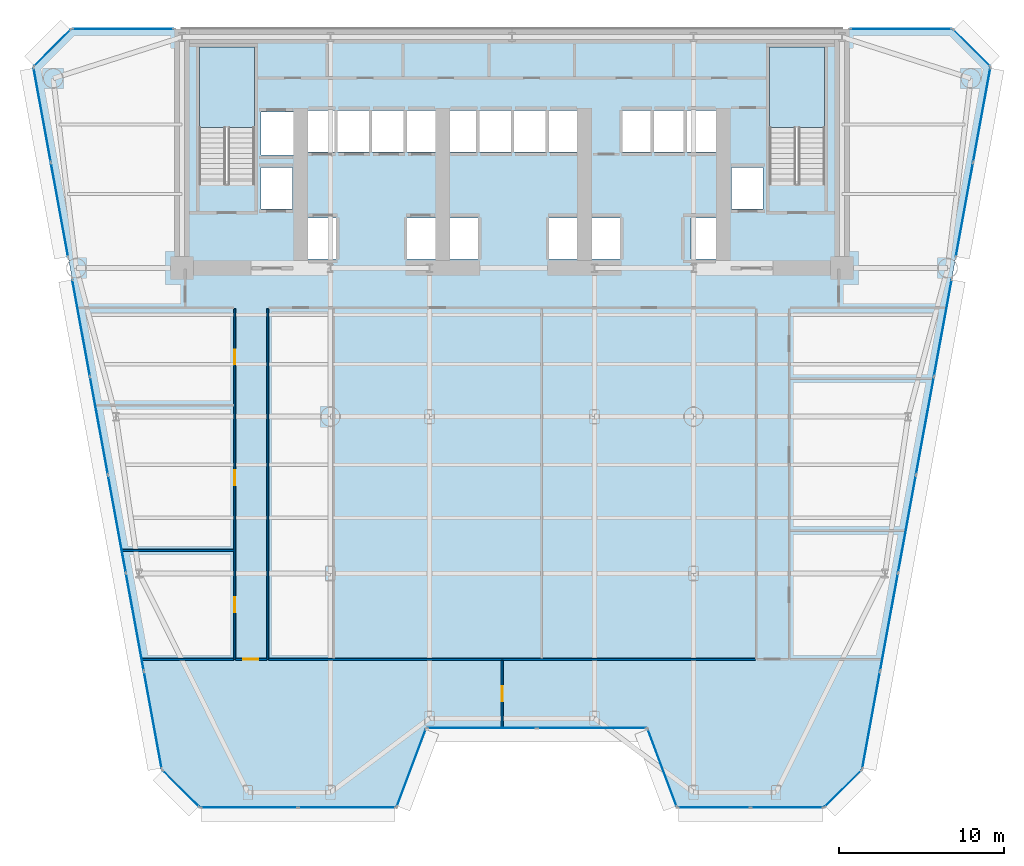
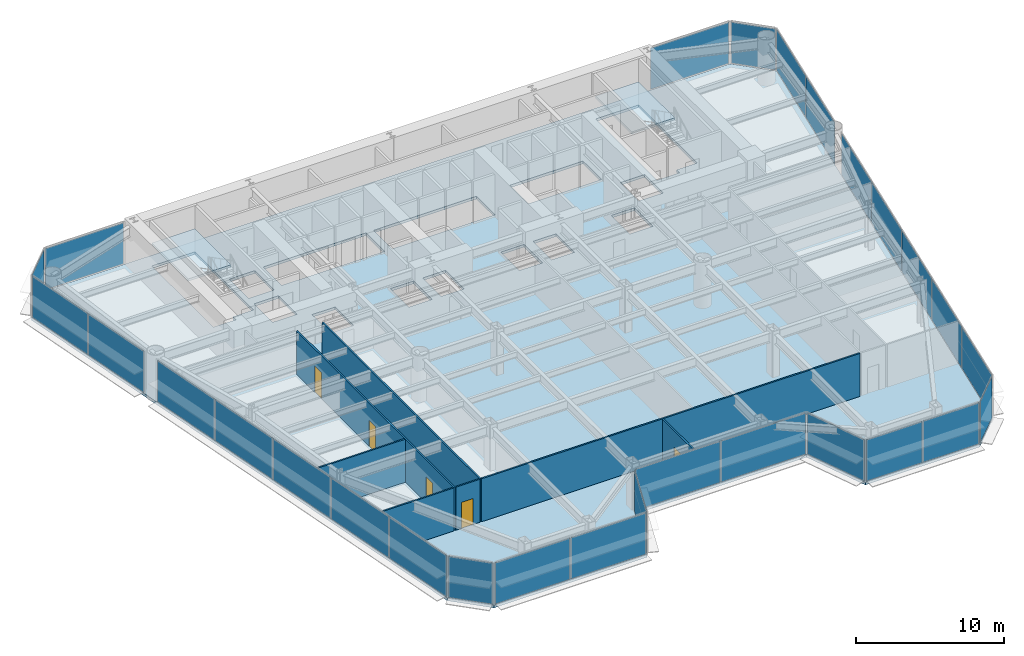
# One storey, part 7 of 14: 28 plates, 7 walls, 5 doors, 3 slabs, 5 openings, 17 elements without a shape of their own.
"""IFC4 building model written with IfcOpenShell, lengths in metres."""

from ifc_helpers import new_model, si_unit, direction, frame, frame_2d, origin, origin_2d, place, context, subcontext, project, spatial, polyline, rectangle, outline, extrude, source, transform, mapped, material, layer, layer_set, type_object, element, fill, aggregate, save


model = new_model("IFC4")

# Units and contexts
model_context = context("Model", 3, precision=1e-05, world=origin(), true_north=direction((0.0, 1.0)))
body_context = subcontext(model_context, "Body", "Model", "MODEL_VIEW")
ifc_project = project(units=[si_unit("LENGTHUNIT", "METRE"), si_unit("AREAUNIT", "SQUARE_METRE"), si_unit("VOLUMEUNIT", "CUBIC_METRE"), si_unit("PLANEANGLEUNIT", "RADIAN"), si_unit("MASSUNIT", "GRAM", prefix="KILO")], contexts=[model_context])

# Site, building, storey
site_placement = place(None, origin())
site = spatial("IfcSite", under=ifc_project, at=site_placement, CompositionType="ELEMENT")
building_placement = place(site_placement, origin())
building = spatial("IfcBuilding", under=site, at=building_placement, Name="Vaeldorn Concourse Tower", CompositionType="ELEMENT")
storey_placement = place(building_placement, frame((0.0, 0.0, 79.60009765625)))
storey = spatial("IfcBuildingStorey", under=building, at=storey_placement, Name="L20", CompositionType="ELEMENT", Elevation=79.60009765625)

# Stair, slab
ifc_material_1 = material(Name="Precast concrete C40/50", Category="concrete")
stair_type = type_object("IfcStairType", Name="STR-DOG-24x158", PredefinedType="HALF_TURN_STAIR", material=ifc_material_1)
stair_1_placement = place(storey_placement, origin())
stair_1 = element("IfcStair", 1, at=stair_1_placement, inside=storey, type_object=stair_type, Name="L20 West Core Exit Stair ST-1", PredefinedType="HALF_TURN_STAIR")
ifc_material_2 = material(Name="Concrete C40/50", Category="concrete")
ifc_layer_1 = layer(ifc_material_2, 0.199951171875)
ifc_layer_set_1 = layer_set([ifc_layer_1], Name="Concrete C40/50")
slab_type_1 = type_object("IfcSlabType", Name="SL-STAIR-LANDING", PredefinedType="LANDING", material=ifc_layer_set_1)
slab_1_placement = place(storey_placement, frame((0.0, 0.0, 1.699951171875)))
slab_1 = element("IfcSlab", 2, at=slab_1_placement, type_object=slab_type_1, Name="ST-1 landing 1", PredefinedType="LANDING", context=body_context, shape_type="SweptSolid", body=[
    extrude(outline(polyline([(18.39990234375, 45.010009765625), (18.39990234375, 49.89990234375), (15.050048828125, 49.89990234375), (15.050048828125, 45.010009765625), (18.39990234375, 45.010009765625)])), origin(), (0.0, 0.0, 1.0), 0.199951171875),
])
aggregate(stair_1, [slab_1])

stair_2_placement = place(storey_placement, origin())
stair_2 = element("IfcStair", 3, at=stair_2_placement, inside=storey, type_object=stair_type, Name="L20 East Core Exit Stair ST-2", PredefinedType="HALF_TURN_STAIR")
slab_2_placement = place(storey_placement, frame((0.0, 0.0, 1.699951171875)))
slab_2 = element("IfcSlab", 4, at=slab_2_placement, type_object=slab_type_1, Name="ST-2 landing 1", PredefinedType="LANDING", context=body_context, shape_type="SweptSolid", body=[
    extrude(outline(polyline([(52.949951171875, 45.010009765625), (52.949951171875, 49.89990234375), (49.60009765625, 49.89990234375), (49.60009765625, 45.010009765625), (52.949951171875, 45.010009765625)])), origin(), (0.0, 0.0, 1.0), 0.199951171875),
])
aggregate(stair_2, [slab_2])

# Slab
ifc_layer_2 = layer(ifc_material_2, 0.219970703125)
ifc_layer_set_2 = layer_set([ifc_layer_2], Name="Concrete C40/50")
slab_type_2 = type_object("IfcSlabType", Name="SL-TYP-220", PredefinedType="FLOOR", material=ifc_layer_set_2)
slab_3_placement = place(storey_placement, frame((0.0, 0.0, -0.22021484375)))
element("IfcSlab", 5, at=slab_3_placement, inside=storey, type_object=slab_type_2, Name="Structural Floor Slab L20", PredefinedType="FLOOR", context=body_context, shape_type="SweptSolid", body=[
    extrude(outline(polyline([(15.083740234375, 3.8251953125), (27.0, 3.8251953125), (28.800048828125, 8.625244140625), (42.199951171875, 8.625244140625), (44.0, 3.8251953125), (52.916259765625, 3.8251953125), (55.21630859375, 6.125244140625), (63.0, 48.699951171875), (60.699951171875, 51.0), (7.300048828125, 51.0), (5.0, 48.699951171875), (12.78369140625, 6.125244140625), (15.083740234375, 3.8251953125)]), holes=[polyline([(18.39990234375, 42.0), (18.39990234375, 49.89990234375), (15.050048828125, 49.89990234375), (15.050048828125, 41.60009765625), (16.800048828125, 41.60009765625), (16.800048828125, 42.0), (18.39990234375, 42.0)]), polyline([(52.949951171875, 42.0), (52.949951171875, 49.89990234375), (49.60009765625, 49.89990234375), (49.60009765625, 41.60009765625), (51.35009765625, 41.60009765625), (51.35009765625, 42.0), (52.949951171875, 42.0)]), polyline([(21.550048828125, 37.050048828125), (23.35009765625, 37.050048828125), (23.35009765625, 39.550048828125), (21.550048828125, 39.550048828125), (21.550048828125, 37.050048828125)]), polyline([(27.64990234375, 37.050048828125), (29.449951171875, 37.050048828125), (29.449951171875, 39.550048828125), (27.64990234375, 39.550048828125), (27.64990234375, 37.050048828125)]), polyline([(21.5, 43.550048828125), (29.5, 43.550048828125), (29.5, 46.050048828125), (21.5, 46.050048828125), (21.5, 43.550048828125)]), polyline([(30.14990234375, 37.050048828125), (31.949951171875, 37.050048828125), (31.949951171875, 39.550048828125), (30.14990234375, 39.550048828125), (30.14990234375, 37.050048828125)]), polyline([(36.25, 37.050048828125), (38.050048828125, 37.050048828125), (38.050048828125, 39.550048828125), (36.25, 39.550048828125), (36.25, 37.050048828125)]), polyline([(30.10009765625, 43.550048828125), (38.10009765625, 43.550048828125), (38.10009765625, 46.050048828125), (30.10009765625, 46.050048828125), (30.10009765625, 43.550048828125)]), polyline([(38.75, 37.050048828125), (40.550048828125, 37.050048828125), (40.550048828125, 39.550048828125), (38.75, 39.550048828125), (38.75, 37.050048828125)]), polyline([(44.85009765625, 37.050048828125), (46.64990234375, 37.050048828125), (46.64990234375, 39.550048828125), (44.85009765625, 39.550048828125), (44.85009765625, 37.050048828125)]), polyline([(40.699951171875, 43.550048828125), (46.39990234375, 43.550048828125), (46.39990234375, 46.050048828125), (40.699951171875, 46.050048828125), (40.699951171875, 43.550048828125)]), polyline([(18.800048828125, 43.35009765625), (20.800048828125, 43.35009765625), (20.800048828125, 45.949951171875), (18.800048828125, 45.949951171875), (18.800048828125, 43.35009765625)]), polyline([(18.800048828125, 40.10009765625), (20.699951171875, 40.10009765625), (20.699951171875, 42.60009765625), (18.800048828125, 42.60009765625), (18.800048828125, 40.10009765625)]), polyline([(47.300048828125, 40.10009765625), (49.199951171875, 40.10009765625), (49.199951171875, 42.60009765625), (47.300048828125, 42.60009765625), (47.300048828125, 40.10009765625)])]), origin(), (0.0, 0.0, 1.0), 0.22021484375),
])

# Curtain wall, plates
ifc_material_3 = material(Name="Anodised Bronze Aluminium", Category="aluminium")
ifc_layer_3 = layer(ifc_material_3, 0.219970703125)
ifc_layer_set_3 = layer_set([ifc_layer_3], Name="Anodised Bronze Aluminium")
curtain_wall_type = type_object("IfcCurtainWallType", Name="CW-SYS-01", PredefinedType="NOTDEFINED", material=ifc_layer_set_3)
curtain_wall_1_placement = place(storey_placement, origin())
curtain_wall_1 = element("IfcCurtainWall", 6, at=curtain_wall_1_placement, inside=storey, type_object=curtain_wall_type, Name="Unitised Curtain Wall CW-L20-E01-1", PredefinedType="NOTDEFINED")
ifc_material_4 = material(Name="Bronze Tinted Low-E Insulated Glass", Category="glass")
ifc_layer_4 = layer(ifc_material_4, 0.031982421875)
ifc_layer_set_4 = layer_set([ifc_layer_4], Name="Bronze Tinted Low-E Insulated Glass")
plate_type = type_object("IfcPlateType", Name="CWP-VISION-32", PredefinedType="CURTAIN_PANEL", material=ifc_layer_set_4)
shared_shape_1 = source(origin(), body_context, "Body", "SweptSolid", [
    extrude(rectangle(XDim=5.845703125, YDim=0.031982421875, at=origin_2d()), origin(), (0.0, 0.0, 1.0), 3.389892578125),
])
plate_1_placement = place(storey_placement, frame((18.08154296875, 3.8251953125, 0.0751953125), z_axis=(0.0, 0.0, 1.0), x_axis=(1.0, 0.0, 0.0)))
plate_1 = element("IfcPlate", 7, at=plate_1_placement, type_object=plate_type, Name="CW-01 panel 1.1", PredefinedType="CURTAIN_PANEL", context=body_context, shape_type="MappedRepresentation", body=[
    mapped(shared_shape_1, transform((0.0, 0.0, 0.0), scale=1.0)),
])
plate_2_placement = place(storey_placement, frame((24.002197265625, 3.8251953125, 0.0751953125), z_axis=(0.0, 0.0, 1.0), x_axis=(1.0, 0.0, 0.0)))
plate_2 = element("IfcPlate", 8, at=plate_2_placement, type_object=plate_type, Name="CW-01 panel 2.1", PredefinedType="CURTAIN_PANEL", context=body_context, shape_type="MappedRepresentation", body=[
    mapped(shared_shape_1, transform((0.0, 0.0, 0.0), scale=1.0)),
])
aggregate(curtain_wall_1, [plate_1, plate_2])

# Curtain wall, plate
curtain_wall_2_placement = place(storey_placement, origin())
curtain_wall_2 = element("IfcCurtainWall", 9, at=curtain_wall_2_placement, inside=storey, type_object=curtain_wall_type, Name="Unitised Curtain Wall CW-L20-E02-1", PredefinedType="NOTDEFINED")
shared_shape_2 = source(origin(), body_context, "Body", "SweptSolid", [
    extrude(rectangle(XDim=4.976318359375, YDim=0.031982421875, at=origin_2d()), origin(), (0.0, 0.0, 1.0), 3.389892578125),
])
plate_3_placement = place(storey_placement, frame((27.89990234375, 6.22509765625, 0.0751953125), z_axis=(0.0, 0.0, 1.0), x_axis=(0.351123441595, 0.936329177566, 0.0)))
plate_3 = element("IfcPlate", 10, at=plate_3_placement, type_object=plate_type, Name="CW-01 panel 1.1", PredefinedType="CURTAIN_PANEL", context=body_context, shape_type="MappedRepresentation", body=[
    mapped(shared_shape_2, transform((0.0, 0.0, 0.0), scale=1.0)),
])
aggregate(curtain_wall_2, [plate_3])

curtain_wall_3_placement = place(storey_placement, origin())
curtain_wall_3 = element("IfcCurtainWall", 11, at=curtain_wall_3_placement, inside=storey, type_object=curtain_wall_type, Name="Unitised Curtain Wall CW-L20-E04-1", PredefinedType="NOTDEFINED")
plate_4_placement = place(storey_placement, frame((43.10009765625, 6.22509765625, 0.0751953125), z_axis=(0.0, 0.0, 1.0), x_axis=(0.351123441595, -0.936329177566, 0.0)))
plate_4 = element("IfcPlate", 12, at=plate_4_placement, type_object=plate_type, Name="CW-01 panel 1.1", PredefinedType="CURTAIN_PANEL", context=body_context, shape_type="MappedRepresentation", body=[
    mapped(shared_shape_2, transform((0.0, 0.0, 0.0), scale=1.0)),
])
aggregate(curtain_wall_3, [plate_4])

# Curtain wall, plates
curtain_wall_4_placement = place(storey_placement, origin())
curtain_wall_4 = element("IfcCurtainWall", 13, at=curtain_wall_4_placement, inside=storey, type_object=curtain_wall_type, Name="Unitised Curtain Wall CW-L20-E03-1", PredefinedType="NOTDEFINED")
shared_shape_3 = source(origin(), body_context, "Body", "SweptSolid", [
    extrude(rectangle(XDim=6.58740234375, YDim=0.031982421875, at=origin_2d()), origin(), (0.0, 0.0, 1.0), 3.389892578125),
])
plate_5_placement = place(storey_placement, frame((32.168701171875, 8.625244140625, 0.0751953125), z_axis=(0.0, 0.0, 1.0), x_axis=(1.0, 0.0, 0.0)))
plate_5 = element("IfcPlate", 14, at=plate_5_placement, type_object=plate_type, Name="CW-01 panel 1.1", PredefinedType="CURTAIN_PANEL", context=body_context, shape_type="MappedRepresentation", body=[
    mapped(shared_shape_3, transform((0.0, 0.0, 0.0), scale=1.0)),
])
plate_6_placement = place(storey_placement, frame((38.831298828125, 8.625244140625, 0.0751953125), z_axis=(0.0, 0.0, 1.0), x_axis=(1.0, 0.0, 0.0)))
plate_6 = element("IfcPlate", 15, at=plate_6_placement, type_object=plate_type, Name="CW-01 panel 2.1", PredefinedType="CURTAIN_PANEL", context=body_context, shape_type="MappedRepresentation", body=[
    mapped(shared_shape_3, transform((0.0, 0.0, 0.0), scale=1.0)),
])
aggregate(curtain_wall_4, [plate_5, plate_6])

curtain_wall_5_placement = place(storey_placement, origin())
curtain_wall_5 = element("IfcCurtainWall", 16, at=curtain_wall_5_placement, inside=storey, type_object=curtain_wall_type, Name="Unitised Curtain Wall CW-L20-E05-1", PredefinedType="NOTDEFINED")
shared_shape_4 = source(origin(), body_context, "Body", "SweptSolid", [
    extrude(rectangle(XDim=4.345703125, YDim=0.031982421875, at=origin_2d()), origin(), (0.0, 0.0, 1.0), 3.389892578125),
])
plate_7_placement = place(storey_placement, frame((46.247802734375, 3.8251953125, 0.0751953125), z_axis=(0.0, 0.0, 1.0), x_axis=(1.0, 0.0, 0.0)))
plate_7 = element("IfcPlate", 17, at=plate_7_placement, type_object=plate_type, Name="CW-01 panel 1.1", PredefinedType="CURTAIN_PANEL", context=body_context, shape_type="MappedRepresentation", body=[
    mapped(shared_shape_4, transform((0.0, 0.0, 0.0), scale=1.0)),
])
plate_8_placement = place(storey_placement, frame((50.66845703125, 3.8251953125, 0.0751953125), z_axis=(0.0, 0.0, 1.0), x_axis=(1.0, 0.0, 0.0)))
plate_8 = element("IfcPlate", 18, at=plate_8_placement, type_object=plate_type, Name="CW-01 panel 2.1", PredefinedType="CURTAIN_PANEL", context=body_context, shape_type="MappedRepresentation", body=[
    mapped(shared_shape_4, transform((0.0, 0.0, 0.0), scale=1.0)),
])
aggregate(curtain_wall_5, [plate_7, plate_8])

# Curtain wall, plate
curtain_wall_6_placement = place(storey_placement, origin())
curtain_wall_6 = element("IfcCurtainWall", 19, at=curtain_wall_6_placement, inside=storey, type_object=curtain_wall_type, Name="Unitised Curtain Wall CW-L20-E06-1", PredefinedType="NOTDEFINED")
shared_shape_5 = source(origin(), body_context, "Body", "SweptSolid", [
    extrude(rectangle(XDim=3.102783203125, YDim=0.031982421875, at=origin_2d()), origin(), (0.0, 0.0, 1.0), 3.389892578125),
])
plate_9_placement = place(storey_placement, frame((54.066162109375, 4.97509765625, 0.0751953125), z_axis=(0.0, 0.0, 1.0), x_axis=(0.707106781187, 0.707106781187, 0.0)))
plate_9 = element("IfcPlate", 20, at=plate_9_placement, type_object=plate_type, Name="CW-01 panel 1.1", PredefinedType="CURTAIN_PANEL", context=body_context, shape_type="MappedRepresentation", body=[
    mapped(shared_shape_5, transform((0.0, 0.0, 0.0), scale=1.0)),
])
aggregate(curtain_wall_6, [plate_9])

curtain_wall_7_placement = place(storey_placement, origin())
curtain_wall_7 = element("IfcCurtainWall", 21, at=curtain_wall_7_placement, inside=storey, type_object=curtain_wall_type, Name="Unitised Curtain Wall CW-L20-E08-1", PredefinedType="NOTDEFINED")
plate_10_placement = place(storey_placement, frame((61.85009765625, 49.85009765625, 0.0751953125), z_axis=(0.0, 0.0, 1.0), x_axis=(-0.707106781187, 0.707106781187, 0.0)))
plate_10 = element("IfcPlate", 22, at=plate_10_placement, type_object=plate_type, Name="CW-01 panel 1.1", PredefinedType="CURTAIN_PANEL", context=body_context, shape_type="MappedRepresentation", body=[
    mapped(shared_shape_5, transform((0.0, 0.0, 0.0), scale=1.0)),
])
aggregate(curtain_wall_7, [plate_10])

curtain_wall_8_placement = place(storey_placement, origin())
curtain_wall_8 = element("IfcCurtainWall", 23, at=curtain_wall_8_placement, inside=storey, type_object=curtain_wall_type, Name="Unitised Curtain Wall CW-L20-E10-1", PredefinedType="NOTDEFINED")
plate_11_placement = place(storey_placement, frame((6.14990234375, 49.85009765625, 0.0751953125), z_axis=(0.0, 0.0, 1.0), x_axis=(-0.707106781187, -0.707106781187, 0.0)))
plate_11 = element("IfcPlate", 24, at=plate_11_placement, type_object=plate_type, Name="CW-01 panel 1.1", PredefinedType="CURTAIN_PANEL", context=body_context, shape_type="MappedRepresentation", body=[
    mapped(shared_shape_5, transform((0.0, 0.0, 0.0), scale=1.0)),
])
aggregate(curtain_wall_8, [plate_11])

curtain_wall_9_placement = place(storey_placement, origin())
curtain_wall_9 = element("IfcCurtainWall", 25, at=curtain_wall_9_placement, inside=storey, type_object=curtain_wall_type, Name="Unitised Curtain Wall CW-L20-E12-1", PredefinedType="NOTDEFINED")
plate_12_placement = place(storey_placement, frame((13.933837890625, 4.97509765625, 0.0751953125), z_axis=(0.0, 0.0, 1.0), x_axis=(0.707106781187, -0.707106781187, 0.0)))
plate_12 = element("IfcPlate", 26, at=plate_12_placement, type_object=plate_type, Name="CW-01 panel 1.1", PredefinedType="CURTAIN_PANEL", context=body_context, shape_type="MappedRepresentation", body=[
    mapped(shared_shape_5, transform((0.0, 0.0, 0.0), scale=1.0)),
])
aggregate(curtain_wall_9, [plate_12])

# Curtain wall, plates
curtain_wall_10_placement = place(storey_placement, origin())
curtain_wall_10 = element("IfcCurtainWall", 27, at=curtain_wall_10_placement, inside=storey, type_object=curtain_wall_type, Name="Unitised Curtain Wall CW-L20-E07-1", PredefinedType="NOTDEFINED")
shared_shape_6 = source(origin(), body_context, "Body", "SweptSolid", [
    extrude(rectangle(XDim=5.937255859375, YDim=0.031982421875, at=origin_2d()), origin(), (0.0, 0.0, 1.0), 3.389892578125),
])
plate_13_placement = place(storey_placement, frame((55.763671875, 9.119140625, 0.0751953125), z_axis=(0.0, 0.0, 1.0), x_axis=(0.179846854566, 0.983694621772, 0.0)))
plate_13 = element("IfcPlate", 28, at=plate_13_placement, type_object=plate_type, Name="CW-01 panel 1.1", PredefinedType="CURTAIN_PANEL", context=body_context, shape_type="MappedRepresentation", body=[
    mapped(shared_shape_6, transform((0.0, 0.0, 0.0), scale=1.0)),
])
plate_14_placement = place(storey_placement, frame((60.10888671875, 32.886474609375, 0.0751953125), z_axis=(0.0, 0.0, 1.0), x_axis=(0.179846854566, 0.983694621772, 0.0)))
plate_14 = element("IfcPlate", 29, at=plate_14_placement, type_object=plate_type, Name="CW-01 panel 5.1", PredefinedType="CURTAIN_PANEL", context=body_context, shape_type="MappedRepresentation", body=[
    mapped(shared_shape_6, transform((0.0, 0.0, 0.0), scale=1.0)),
])

curtain_wall_11_placement = place(storey_placement, origin())
curtain_wall_11 = element("IfcCurtainWall", 30, at=curtain_wall_11_placement, inside=storey, type_object=curtain_wall_type, Name="Unitised Curtain Wall CW-L20-E11-2", PredefinedType="NOTDEFINED")
plate_15_placement = place(storey_placement, frame((7.89111328125, 32.886474609375, 0.0751953125), z_axis=(0.0, 0.0, 1.0), x_axis=(0.179846854566, -0.983694621772, 0.0)))
plate_15 = element("IfcPlate", 31, at=plate_15_placement, type_object=plate_type, Name="CW-01 panel 1.1", PredefinedType="CURTAIN_PANEL", context=body_context, shape_type="MappedRepresentation", body=[
    mapped(shared_shape_6, transform((0.0, 0.0, 0.0), scale=1.0)),
])
plate_16_placement = place(storey_placement, frame((12.236328125, 9.119140625, 0.0751953125), z_axis=(0.0, 0.0, 1.0), x_axis=(0.179846854566, -0.983694621772, 0.0)))
plate_16 = element("IfcPlate", 32, at=plate_16_placement, type_object=plate_type, Name="CW-01 panel 5.1", PredefinedType="CURTAIN_PANEL", context=body_context, shape_type="MappedRepresentation", body=[
    mapped(shared_shape_6, transform((0.0, 0.0, 0.0), scale=1.0)),
])

# Plate
shared_shape_7 = source(origin(), body_context, "Body", "SweptSolid", [
    extrude(rectangle(XDim=5.974609375, YDim=0.031982421875, at=origin_2d()), origin(), (0.0, 0.0, 1.0), 3.389892578125),
])
plate_17_placement = place(storey_placement, frame((56.84814453125, 15.0517578125, 0.0751953125), z_axis=(0.0, 0.0, 1.0), x_axis=(0.179846854566, 0.983694621772, 0.0)))
plate_17 = element("IfcPlate", 33, at=plate_17_placement, type_object=plate_type, Name="CW-01 panel 2.1", PredefinedType="CURTAIN_PANEL", context=body_context, shape_type="MappedRepresentation", body=[
    mapped(shared_shape_7, transform((0.0, 0.0, 0.0), scale=1.0)),
])

plate_18_placement = place(storey_placement, frame((57.936279296875, 21.0029296875, 0.0751953125), z_axis=(0.0, 0.0, 1.0), x_axis=(0.179846854566, 0.983694621772, 0.0)))
plate_18 = element("IfcPlate", 34, at=plate_18_placement, type_object=plate_type, Name="CW-01 panel 3.1", PredefinedType="CURTAIN_PANEL", context=body_context, shape_type="MappedRepresentation", body=[
    mapped(shared_shape_7, transform((0.0, 0.0, 0.0), scale=1.0)),
])

plate_19_placement = place(storey_placement, frame((59.024169921875, 26.953857421875, 0.0751953125), z_axis=(0.0, 0.0, 1.0), x_axis=(0.179846854566, 0.983694621772, 0.0)))
plate_19 = element("IfcPlate", 35, at=plate_19_placement, type_object=plate_type, Name="CW-01 panel 4.1", PredefinedType="CURTAIN_PANEL", context=body_context, shape_type="MappedRepresentation", body=[
    mapped(shared_shape_7, transform((0.0, 0.0, 0.0), scale=1.0)),
])

aggregate(curtain_wall_10, [plate_13, plate_17, plate_18, plate_19, plate_14])

plate_20_placement = place(storey_placement, frame((8.975830078125, 26.953857421875, 0.0751953125), z_axis=(0.0, 0.0, 1.0), x_axis=(0.179846854566, -0.983694621772, 0.0)))
plate_20 = element("IfcPlate", 36, at=plate_20_placement, type_object=plate_type, Name="CW-01 panel 2.1", PredefinedType="CURTAIN_PANEL", context=body_context, shape_type="MappedRepresentation", body=[
    mapped(shared_shape_7, transform((0.0, 0.0, 0.0), scale=1.0)),
])

plate_21_placement = place(storey_placement, frame((10.063720703125, 21.0029296875, 0.0751953125), z_axis=(0.0, 0.0, 1.0), x_axis=(0.179846854566, -0.983694621772, 0.0)))
plate_21 = element("IfcPlate", 37, at=plate_21_placement, type_object=plate_type, Name="CW-01 panel 3.1", PredefinedType="CURTAIN_PANEL", context=body_context, shape_type="MappedRepresentation", body=[
    mapped(shared_shape_7, transform((0.0, 0.0, 0.0), scale=1.0)),
])

plate_22_placement = place(storey_placement, frame((11.15185546875, 15.0517578125, 0.0751953125), z_axis=(0.0, 0.0, 1.0), x_axis=(0.179846854566, -0.983694621772, 0.0)))
plate_22 = element("IfcPlate", 38, at=plate_22_placement, type_object=plate_type, Name="CW-01 panel 4.1", PredefinedType="CURTAIN_PANEL", context=body_context, shape_type="MappedRepresentation", body=[
    mapped(shared_shape_7, transform((0.0, 0.0, 0.0), scale=1.0)),
])

aggregate(curtain_wall_11, [plate_15, plate_20, plate_21, plate_22, plate_16])

# Curtain wall, plates
curtain_wall_12_placement = place(storey_placement, origin())
curtain_wall_12 = element("IfcCurtainWall", 39, at=curtain_wall_12_placement, inside=storey, type_object=curtain_wall_type, Name="Unitised Curtain Wall CW-L20-E07-2", PredefinedType="NOTDEFINED")
shared_shape_8 = source(origin(), body_context, "Body", "SweptSolid", [
    extrude(rectangle(XDim=5.773681640625, YDim=0.031982421875, at=origin_2d()), origin(), (0.0, 0.0, 1.0), 3.389892578125),
])
plate_23_placement = place(storey_placement, frame((61.41552734375, 40.032958984375, 0.0751953125), z_axis=(0.0, 0.0, 1.0), x_axis=(0.179843658764, 0.983695206048, 0.0)))
plate_23 = element("IfcPlate", 40, at=plate_23_placement, type_object=plate_type, Name="CW-01 panel 1.1", PredefinedType="CURTAIN_PANEL", context=body_context, shape_type="MappedRepresentation", body=[
    mapped(shared_shape_8, transform((0.0, 0.0, 0.0), scale=1.0)),
])
plate_24_placement = place(storey_placement, frame((62.46728515625, 45.786376953125, 0.0751953125), z_axis=(0.0, 0.0, 1.0), x_axis=(0.179843658764, 0.983695206048, 0.0)))
plate_24 = element("IfcPlate", 41, at=plate_24_placement, type_object=plate_type, Name="CW-01 panel 2.1", PredefinedType="CURTAIN_PANEL", context=body_context, shape_type="MappedRepresentation", body=[
    mapped(shared_shape_8, transform((0.0, 0.0, 0.0), scale=1.0)),
])
aggregate(curtain_wall_12, [plate_23, plate_24])

curtain_wall_13_placement = place(storey_placement, origin())
curtain_wall_13 = element("IfcCurtainWall", 42, at=curtain_wall_13_placement, inside=storey, type_object=curtain_wall_type, Name="Unitised Curtain Wall CW-L20-E11-1", PredefinedType="NOTDEFINED")
plate_25_placement = place(storey_placement, frame((5.53271484375, 45.786376953125, 0.0751953125), z_axis=(0.0, 0.0, 1.0), x_axis=(0.179843658764, -0.983695206048, 0.0)))
plate_25 = element("IfcPlate", 43, at=plate_25_placement, type_object=plate_type, Name="CW-01 panel 1.1", PredefinedType="CURTAIN_PANEL", context=body_context, shape_type="MappedRepresentation", body=[
    mapped(shared_shape_8, transform((0.0, 0.0, 0.0), scale=1.0)),
])
plate_26_placement = place(storey_placement, frame((6.58447265625, 40.032958984375, 0.0751953125), z_axis=(0.0, 0.0, 1.0), x_axis=(0.179843658764, -0.983695206048, 0.0)))
plate_26 = element("IfcPlate", 44, at=plate_26_placement, type_object=plate_type, Name="CW-01 panel 2.1", PredefinedType="CURTAIN_PANEL", context=body_context, shape_type="MappedRepresentation", body=[
    mapped(shared_shape_8, transform((0.0, 0.0, 0.0), scale=1.0)),
])
aggregate(curtain_wall_13, [plate_25, plate_26])

# Curtain wall, plate
curtain_wall_14_placement = place(storey_placement, origin())
curtain_wall_14 = element("IfcCurtainWall", 45, at=curtain_wall_14_placement, inside=storey, type_object=curtain_wall_type, Name="Unitised Curtain Wall CW-L20-E09-1", PredefinedType="NOTDEFINED")
shared_shape_9 = source(origin(), body_context, "Body", "SweptSolid", [
    extrude(rectangle(XDim=6.10498046875, YDim=0.031982421875, at=origin_2d()), origin(), (0.0, 0.0, 1.0), 3.389892578125),
])
plate_27_placement = place(storey_placement, frame((57.572509765625, 51.0, 0.0751953125), z_axis=(0.0, 0.0, 1.0), x_axis=(-1.0, 0.0, 0.0)))
plate_27 = element("IfcPlate", 46, at=plate_27_placement, type_object=plate_type, Name="CW-01 panel 1.1", PredefinedType="CURTAIN_PANEL", context=body_context, shape_type="MappedRepresentation", body=[
    mapped(shared_shape_9, transform((0.0, 0.0, 0.0), scale=1.0)),
])
aggregate(curtain_wall_14, [plate_27])

curtain_wall_15_placement = place(storey_placement, origin())
curtain_wall_15 = element("IfcCurtainWall", 47, at=curtain_wall_15_placement, inside=storey, type_object=curtain_wall_type, Name="Unitised Curtain Wall CW-L20-E09-2", PredefinedType="NOTDEFINED")
plate_28_placement = place(storey_placement, frame((10.427490234375, 51.0, 0.0751953125), z_axis=(0.0, 0.0, 1.0), x_axis=(-1.0, 0.0, 0.0)))
plate_28 = element("IfcPlate", 48, at=plate_28_placement, type_object=plate_type, Name="CW-01 panel 1.1", PredefinedType="CURTAIN_PANEL", context=body_context, shape_type="MappedRepresentation", body=[
    mapped(shared_shape_9, transform((0.0, 0.0, 0.0), scale=1.0)),
])
aggregate(curtain_wall_15, [plate_28])

# Wall, openings, doors
ifc_material_5 = material(Name="Gypsum Board Partition", Category="gypsum")
ifc_layer_5 = layer(ifc_material_5, 0.1201171875)
ifc_layer_set_5 = layer_set([ifc_layer_5], Name="Gypsum Board Partition")
wall_type = type_object("IfcWallType", Name="WL-PART-120", PredefinedType="PARTITIONING", material=ifc_layer_set_5)
wall_1_placement = place(storey_placement, frame((17.199951171875, 12.800048828125, 0.0), z_axis=(0.0, 0.0, 1.0), x_axis=(0.0, 1.0, 0.0)))
wall_1 = element("IfcWall", 49, at=wall_1_placement, inside=storey, type_object=wall_type, Name="Interior Wall PW-L20-CWW", PredefinedType="PARTITIONING", context=body_context, shape_type="SweptSolid", body=[
    extrude(rectangle(XDim=21.239990234375, YDim=0.1201171875, at=frame_2d((10.6201171875, 0.0))), origin(), (0.0, 0.0, 1.0), 3.539794921875),
])
opening_1_placement = place(wall_1_placement, frame((2.85009765625, 0.0, 0.0)))
opening_1 = element("IfcOpeningElement", 50, at=opening_1_placement, cuts=wall_1, Name="Opening D-03", PredefinedType="OPENING", context=body_context, shape_type="SweptSolid", body=[
    extrude(rectangle(XDim=0.89990234375, YDim=2.14990234375, at=frame_2d((0.449951171875, 1.074951171875))), frame((0.0, 0.070068359375, 0.0), z_axis=(0.0, -1.0, 0.0), x_axis=(1.0, 0.0, 0.0)), (0.0, 0.0, 1.0), 0.14013671875),
])
opening_2_placement = place(wall_1_placement, frame((10.550048828125, 0.0, 0.0)))
opening_2 = element("IfcOpeningElement", 51, at=opening_2_placement, cuts=wall_1, Name="Opening D-03", PredefinedType="OPENING", context=body_context, shape_type="SweptSolid", body=[
    extrude(rectangle(XDim=0.89990234375, YDim=2.14990234375, at=frame_2d((0.449951171875, 1.074951171875))), frame((0.0, 0.070068359375, 0.0), z_axis=(0.0, -1.0, 0.0), x_axis=(1.0, 0.0, 0.0)), (0.0, 0.0, 1.0), 0.14013671875),
])
opening_3_placement = place(wall_1_placement, frame((17.8701171875, 0.0, 0.0)))
opening_3 = element("IfcOpeningElement", 52, at=opening_3_placement, cuts=wall_1, Name="Opening D-03", PredefinedType="OPENING", context=body_context, shape_type="SweptSolid", body=[
    extrude(rectangle(XDim=0.89990234375, YDim=2.14990234375, at=frame_2d((0.449951171875, 1.074951171875))), frame((0.0, 0.070068359375, 0.0), z_axis=(0.0, -1.0, 0.0), x_axis=(1.0, 0.0, 0.0)), (0.0, 0.0, 1.0), 0.14013671875),
])
ifc_material_6 = material(Name="Acoustic Bronze-Framed Glass Door", Category="glass")
door_type = type_object("IfcDoorType", Name="DR-INT-900", OperationType="NOTDEFINED", PredefinedType="DOOR", material=ifc_material_6)
shared_shape_10 = source(origin(), body_context, "Body", "SweptSolid", [
    extrude(rectangle(XDim=0.89990234375, YDim=2.14990234375, at=frame_2d((0.449951171875, 1.074951171875))), frame((0.0, 0.02490234375, 0.0), z_axis=(0.0, -1.0, 0.0), x_axis=(1.0, 0.0, 0.0)), (0.0, 0.0, 1.0), 0.050048828125),
])
door_1_placement = place(opening_1_placement, origin())
door_1 = element("IfcDoor", 53, at=door_1_placement, inside=storey, type_object=door_type, Name="Interior Door DR-L20-W1", OperationType="SINGLE_SWING_LEFT", OverallHeight=2.14990234375, OverallWidth=0.89990234375, PredefinedType="DOOR", context=body_context, shape_type="MappedRepresentation", body=[
    mapped(shared_shape_10, transform((0.0, 0.0, 0.0), scale=1.0)),
])
fill(opening_1, door_1)
door_2_placement = place(opening_2_placement, origin())
door_2 = element("IfcDoor", 54, at=door_2_placement, inside=storey, type_object=door_type, Name="Interior Door DR-L20-W2", OperationType="SINGLE_SWING_RIGHT", OverallHeight=2.14990234375, OverallWidth=0.89990234375, PredefinedType="DOOR", context=body_context, shape_type="MappedRepresentation", body=[
    mapped(shared_shape_10, transform((0.0, 0.0, 0.0), scale=1.0)),
])
fill(opening_2, door_2)
door_3_placement = place(opening_3_placement, origin())
door_3 = element("IfcDoor", 55, at=door_3_placement, inside=storey, type_object=door_type, Name="Interior Door DR-L20-W3", OperationType="SINGLE_SWING_LEFT", OverallHeight=2.14990234375, OverallWidth=0.89990234375, PredefinedType="DOOR", context=body_context, shape_type="MappedRepresentation", body=[
    mapped(shared_shape_10, transform((0.0, 0.0, 0.0), scale=1.0)),
])
fill(opening_3, door_3)

# Wall
wall_2_placement = place(storey_placement, frame((19.199951171875, 12.800048828125, 0.0), z_axis=(0.0, 0.0, 1.0), x_axis=(0.0, 1.0, 0.0)))
element("IfcWall", 56, at=wall_2_placement, inside=storey, type_object=wall_type, Name="Interior Wall PW-L20-CWE", PredefinedType="PARTITIONING", context=body_context, shape_type="SweptSolid", body=[
    extrude(rectangle(XDim=21.239990234375, YDim=0.1201171875, at=frame_2d((10.6201171875, 0.0))), origin(), (0.0, 0.0, 1.0), 3.539794921875),
])

# Wall, opening, door
wall_3_placement = place(storey_placement, frame((17.260009765625, 12.800048828125, 0.0), z_axis=(0.0, 0.0, 1.0), x_axis=(1.0, 0.0, 0.0)))
wall_3 = element("IfcWall", 57, at=wall_3_placement, inside=storey, type_object=wall_type, Name="Interior Wall PW-L20-CWS", PredefinedType="PARTITIONING", context=body_context, shape_type="SweptSolid", body=[
    extrude(rectangle(XDim=1.8798828125, YDim=0.1201171875, at=frame_2d((0.93994140625, 0.0))), origin(), (0.0, 0.0, 1.0), 3.539794921875),
])
opening_4_placement = place(wall_3_placement, frame((0.449951171875, 0.0, 0.0)))
opening_4 = element("IfcOpeningElement", 58, at=opening_4_placement, cuts=wall_3, Name="Opening D-03", PredefinedType="OPENING", context=body_context, shape_type="SweptSolid", body=[
    extrude(rectangle(XDim=0.89990234375, YDim=2.14990234375, at=frame_2d((0.449951171875, 1.074951171875))), frame((0.0, 0.070068359375, 0.0), z_axis=(0.0, -1.0, 0.0), x_axis=(1.0, 0.0, 0.0)), (0.0, 0.0, 1.0), 0.14013671875),
])
door_4_placement = place(opening_4_placement, origin())
door_4 = element("IfcDoor", 59, at=door_4_placement, inside=storey, type_object=door_type, Name="Interior Door DR-L20-SWL", OperationType="SINGLE_SWING_LEFT", OverallHeight=2.14990234375, OverallWidth=0.89990234375, PredefinedType="DOOR", context=body_context, shape_type="MappedRepresentation", body=[
    mapped(shared_shape_10, transform((0.0, 0.0, 0.0), scale=1.0)),
])
fill(opening_4, door_4)

# Walls
wall_4_placement = place(storey_placement, frame((11.603515625, 12.800048828125, 0.0), z_axis=(0.0, 0.0, 1.0), x_axis=(1.0, 0.0, 0.0)))
element("IfcWall", 60, at=wall_4_placement, inside=storey, type_object=wall_type, Name="Interior Wall PW-L20-WY0", PredefinedType="PARTITIONING", context=body_context, shape_type="SweptSolid", body=[
    extrude(rectangle(XDim=5.536376953125, YDim=0.1201171875, at=frame_2d((2.76806640625, 0.0))), origin(), (0.0, 0.0, 1.0), 3.539794921875),
])
wall_5_placement = place(storey_placement, frame((10.396728515625, 19.39990234375, 0.0), z_axis=(0.0, 0.0, 1.0), x_axis=(1.0, 0.0, 0.0)))
element("IfcWall", 61, at=wall_5_placement, inside=storey, type_object=wall_type, Name="Interior Wall PW-L20-WY1", PredefinedType="PARTITIONING", context=body_context, shape_type="SweptSolid", body=[
    extrude(rectangle(XDim=6.7431640625, YDim=0.1201171875, at=frame_2d((3.37158203125, 0.0))), origin(), (0.0, 0.0, 1.0), 3.539794921875),
])
wall_6_placement = place(storey_placement, frame((19.260009765625, 12.800048828125, 0.0), z_axis=(0.0, 0.0, 1.0), x_axis=(1.0, 0.0, 0.0)))
element("IfcWall", 62, at=wall_6_placement, inside=storey, type_object=wall_type, Name="Interior Wall PW-L20-HUBS", PredefinedType="PARTITIONING", context=body_context, shape_type="SweptSolid", body=[
    extrude(rectangle(XDim=29.47998046875, YDim=0.1201171875, at=frame_2d((14.739990234375, 0.0))), origin(), (0.0, 0.0, 1.0), 3.539794921875),
])

# Wall, opening, door
wall_7_placement = place(storey_placement, frame((33.39990234375, 8.665283203125, 0.0), z_axis=(0.0, 0.0, 1.0), x_axis=(0.0, 1.0, 0.0)))
wall_7 = element("IfcWall", 63, at=wall_7_placement, inside=storey, type_object=wall_type, Name="Interior Wall PW-L20-SMID1", PredefinedType="PARTITIONING", context=body_context, shape_type="SweptSolid", body=[
    extrude(rectangle(XDim=4.07470703125, YDim=0.1201171875, at=frame_2d((2.037353515625, 0.0))), origin(), (0.0, 0.0, 1.0), 3.539794921875),
])
opening_5_placement = place(wall_7_placement, frame((1.5869140625, 0.0, 0.0)))
opening_5 = element("IfcOpeningElement", 64, at=opening_5_placement, cuts=wall_7, Name="Opening D-03", PredefinedType="OPENING", context=body_context, shape_type="SweptSolid", body=[
    extrude(rectangle(XDim=0.89990234375, YDim=2.14990234375, at=frame_2d((0.449951171875, 1.074951171875))), frame((0.0, 0.070068359375, 0.0), z_axis=(0.0, -1.0, 0.0), x_axis=(1.0, 0.0, 0.0)), (0.0, 0.0, 1.0), 0.14013671875),
])
door_5_placement = place(opening_5_placement, origin())
door_5 = element("IfcDoor", 65, at=door_5_placement, inside=storey, type_object=door_type, Name="Interior Door DR-L20-SMID1", OperationType="SINGLE_SWING_RIGHT", OverallHeight=2.14990234375, OverallWidth=0.89990234375, PredefinedType="DOOR", context=body_context, shape_type="MappedRepresentation", body=[
    mapped(shared_shape_10, transform((0.0, 0.0, 0.0), scale=1.0)),
])
fill(opening_5, door_5)

save(model, "model.ifc")
